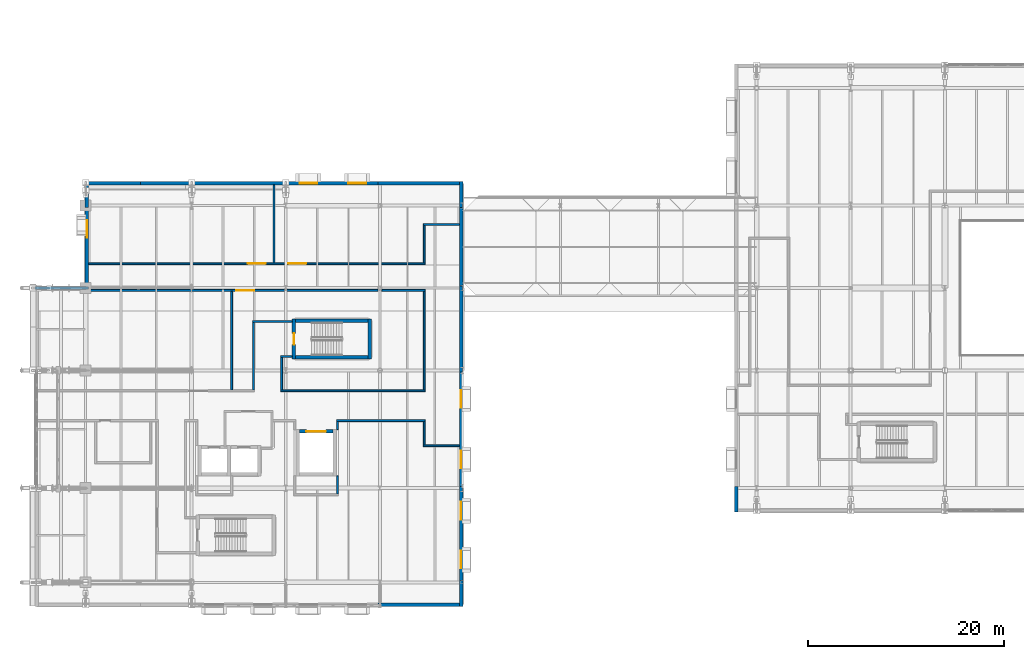
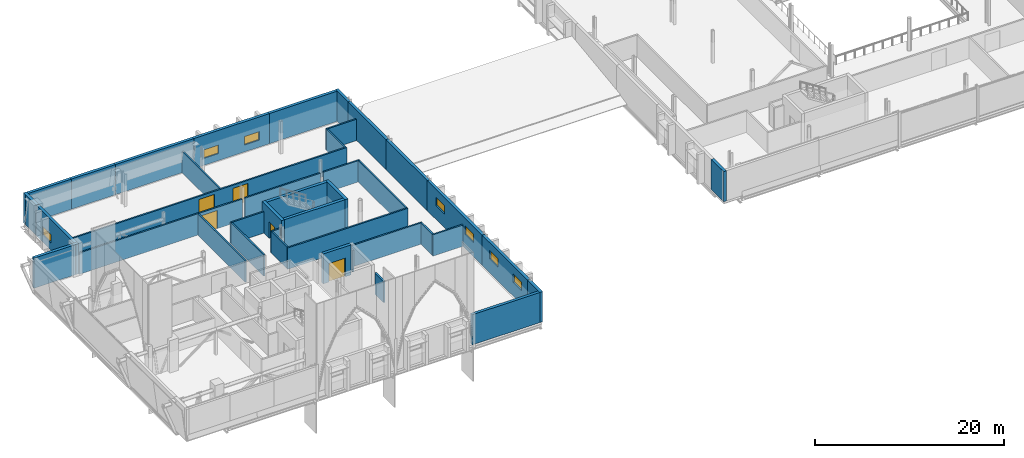
# One storey, part 62 of 90: 40 walls, 7 windows, 5 doors, 12 openings.
"""IFC4 building model written with IfcOpenShell, lengths in metres."""

from ifc_helpers import new_model, si_unit, direction, frame, frame_2d, origin, place, context, subcontext, project, spatial, rectangle, extrude, material, layer, layer_set, type_object, element, fill, save


model = new_model("IFC4")

# Units and contexts
model_context = context("Model", 3, precision=1e-05, world=origin(), true_north=direction((0.0, 1.0)))
body_context = subcontext(model_context, "Body", "Model", "MODEL_VIEW")
ifc_project = project(units=[si_unit("LENGTHUNIT", "METRE"), si_unit("AREAUNIT", "SQUARE_METRE"), si_unit("VOLUMEUNIT", "CUBIC_METRE"), si_unit("PLANEANGLEUNIT", "RADIAN"), si_unit("MASSUNIT", "GRAM", prefix="KILO")], contexts=[model_context])

# Site, building, storey
site_placement = place(None, origin())
site = spatial("IfcSite", under=ifc_project, at=site_placement, CompositionType="ELEMENT")
building_placement = place(site_placement, origin())
building = spatial("IfcBuilding", under=site, at=building_placement, Name="Zereglee Splitstone Museum", CompositionType="ELEMENT")
storey_placement = place(building_placement, frame((0.0, 0.0, 4.800048828125)))
storey = spatial("IfcBuildingStorey", under=building, at=storey_placement, Name="L01", CompositionType="ELEMENT", Elevation=4.800048828125)

# Wall, opening, door
ifc_material_1 = material(Name="Concrete C45/55", Category="concrete")
ifc_layer_1 = layer(ifc_material_1, 0.360107421875)
ifc_layer_set_1 = layer_set([ifc_layer_1], Name="Concrete C45/55")
wall_type_1 = type_object("IfcWallType", Name="CSW-02", PredefinedType="SHEAR", material=ifc_layer_set_1)
wall_1_placement = place(storey_placement, frame((30.820068359375, 22.739990234375, 0.0), z_axis=(0.0, 0.0, 1.0), x_axis=(0.0, 1.0, 0.0)))
wall_1 = element("IfcWall", 1, at=wall_1_placement, inside=storey, type_object=wall_type_1, Name="Stair Core Shear Wall ST-02 L01 West", PredefinedType="SHEAR", context=body_context, shape_type="SweptSolid", body=[
    extrude(rectangle(XDim=4.1201171875, YDim=0.360107421875, at=frame_2d((2.06005859375, 0.0))), origin(), (0.0, 0.0, 1.0), 3.8798828125),
])
opening_1_placement = place(wall_1_placement, frame((1.485107421875, 0.0, 0.0)))
opening_1 = element("IfcOpeningElement", 2, at=opening_1_placement, cuts=wall_1, Name="Opening ID-03", PredefinedType="OPENING", context=body_context, shape_type="SweptSolid", body=[
    extrude(rectangle(XDim=1.14990234375, YDim=2.14990234375, at=frame_2d((0.574951171875, 1.074951171875))), frame((0.0, 0.19482421875, 0.0), z_axis=(0.0, -1.0, 0.0), x_axis=(1.0, 0.0, 0.0)), (0.0, 0.0, 1.0), 0.389892578125),
])
ifc_material_2 = material(Name="Fire-rated steel and Siberian larch leaf", Category="steel")
door_type_1 = type_object("IfcDoorType", Name="ID-03", OperationType="NOTDEFINED", PredefinedType="DOOR", material=ifc_material_2)
door_1_placement = place(opening_1_placement, origin())
door_1 = element("IfcDoor", 3, at=door_1_placement, inside=storey, type_object=door_type_1, Name="Protected Stair Fire Door ST-02 L01", OperationType="SINGLE_SWING_LEFT", OverallHeight=2.14990234375, OverallWidth=1.14990234375, PredefinedType="DOOR", context=body_context, shape_type="SweptSolid", body=[
    extrude(rectangle(XDim=1.14990234375, YDim=2.14990234375, at=frame_2d((0.574951171875, 1.074951171875))), frame((0.0, 0.02490234375, 0.0), z_axis=(0.0, -1.0, 0.0), x_axis=(1.0, 0.0, 0.0)), (0.0, 0.0, 1.0), 0.050048828125),
])
fill(opening_1, door_1)

# Walls
wall_2_placement = place(storey_placement, frame((38.580078125, 22.739990234375, 0.0), z_axis=(0.0, 0.0, 1.0), x_axis=(0.0, 1.0, 0.0)))
element("IfcWall", 4, at=wall_2_placement, inside=storey, type_object=wall_type_1, Name="Stair Core Shear Wall ST-02 L01 East", PredefinedType="SHEAR", context=body_context, shape_type="SweptSolid", body=[
    extrude(rectangle(XDim=4.1201171875, YDim=0.360107421875, at=frame_2d((2.06005859375, 0.0))), origin(), (0.0, 0.0, 1.0), 3.8798828125),
])
for number, where, z_axis, x_axis, name in (
    (5, (31.0, 26.679931640625, 0.0), (0.0, 0.0, 1.0), (1.0, 0.0, 0.0), "Stair Core Shear Wall ST-02 L01 North"),
    (6, (31.0, 22.919921875, 0.0), (0.0, 0.0, 1.0), (1.0, 0.0, 0.0), "Stair Core Shear Wall ST-02 L01 South"),
):
    element("IfcWall", number, at=place(storey_placement, frame(where, z_axis=z_axis, x_axis=x_axis)), inside=storey, type_object=wall_type_1, Name=name, PredefinedType="SHEAR", context=body_context, shape_type="SweptSolid", body=[
        extrude(rectangle(XDim=7.39990234375, YDim=0.360107421875, at=frame_2d((3.699951171875, 0.0))), origin(), (0.0, 0.0, 1.0), 3.8798828125),
    ])

# Wall, opening, door
wall_3_placement = place(storey_placement, frame((31.39990234375, 15.3798828125, 0.0), z_axis=(0.0, 0.0, 1.0), x_axis=(1.0, 0.0, 0.0)))
wall_3 = element("IfcWall", 7, at=wall_3_placement, inside=storey, type_object=wall_type_1, Name="Lift Shaft Wall GL-02 L01 North", PredefinedType="SHEAR", context=body_context, shape_type="SweptSolid", body=[
    extrude(rectangle(XDim=3.400146484375, YDim=0.360107421875, at=frame_2d((1.7001953125, 0.0))), origin(), (0.0, 0.0, 1.0), 3.8798828125),
])
opening_2_placement = place(wall_3_placement, frame((0.699951171875, 0.0, 0.0)))
opening_2 = element("IfcOpeningElement", 8, at=opening_2_placement, cuts=wall_3, Name="Opening LD-03", PredefinedType="OPENING", context=body_context, shape_type="SweptSolid", body=[
    extrude(rectangle(XDim=2.0, YDim=2.39990234375, at=frame_2d((1.0, 1.199951171875))), frame((0.0, 0.19482421875, 0.0), z_axis=(0.0, -1.0, 0.0), x_axis=(1.0, 0.0, 0.0)), (0.0, 0.0, 1.0), 0.389892578125),
])
door_type_2 = type_object("IfcDoorType", Name="LD-03", OperationType="DOUBLE_DOOR_SLIDING", PredefinedType="DOOR", material=ifc_material_2)
door_2_placement = place(opening_2_placement, origin())
door_2 = element("IfcDoor", 9, at=door_2_placement, inside=storey, type_object=door_type_2, Name="Lift Landing Sliding Door GL-02 L01", OperationType="DOUBLE_DOOR_SLIDING", OverallHeight=2.39990234375, OverallWidth=2.0, PredefinedType="DOOR", context=body_context, shape_type="SweptSolid", body=[
    extrude(rectangle(XDim=2.0, YDim=2.39990234375, at=frame_2d((1.0, 1.199951171875))), frame((0.0, 0.02490234375, 0.0), z_axis=(0.0, -1.0, 0.0), x_axis=(1.0, 0.0, 0.0)), (0.0, 0.0, 1.0), 0.050048828125),
])
fill(opening_2, door_2)

# Walls
ifc_material_3 = material(Name="Precast concrete C40/50", Category="concrete")
ifc_layer_2 = layer(ifc_material_3, 0.35009765625)
ifc_layer_set_2 = layer_set([ifc_layer_2], Name="Precast concrete C40/50")
wall_type_2 = type_object("IfcWallType", Name="EW-01", PredefinedType="STANDARD", material=ifc_layer_set_2)
wall_4_placement = place(storey_placement, frame((9.89990234375, 30.0, 0.0), z_axis=(0.0, 0.0, 1.0), x_axis=(-1.0, 0.0, 0.0)))
element("IfcWall", 10, at=wall_4_placement, inside=storey, type_object=wall_type_2, Name="Exterior Backup Wall RC4-EW-L01-0043", PredefinedType="STANDARD", context=body_context, shape_type="SweptSolid", body=[
    extrude(rectangle(XDim=5.4599609375, YDim=0.35009765625, at=frame_2d((2.72998046875, 0.0))), origin(), (0.0, 0.0, 1.0), 3.89990234375),
])
wall_5_placement = place(storey_placement, frame((39.419921875, -2.280029296875, 0.0), z_axis=(0.0, 0.0, 1.0), x_axis=(1.0, 0.0, 0.0)))
element("IfcWall", 11, at=wall_5_placement, inside=storey, type_object=wall_type_2, Name="Exterior Backup Wall RC4-EW-L01-0052", PredefinedType="STANDARD", context=body_context, shape_type="SweptSolid", body=[
    extrude(rectangle(XDim=8.64013671875, YDim=0.35009765625, at=frame_2d((4.320068359375, 0.0))), origin(), (0.0, 0.0, 1.0), 3.89990234375),
])
wall_6_placement = place(storey_placement, frame((47.8798828125, -2.4599609375, 0.0), z_axis=(0.0, 0.0, 1.0), x_axis=(0.0, 1.0, 0.0)))
element("IfcWall", 12, at=wall_6_placement, inside=storey, type_object=wall_type_2, Name="Exterior Backup Wall RC4-EW-L01-0053", PredefinedType="STANDARD", context=body_context, shape_type="SweptSolid", body=[
    extrude(rectangle(XDim=2.639892578125, YDim=0.35009765625, at=frame_2d((1.31982421875, 0.0))), origin(), (0.0, 0.0, 1.0), 3.89990234375),
])

# Wall, openings, windows
wall_7_placement = place(storey_placement, frame((47.8798828125, -0.179931640625, 0.0), z_axis=(0.0, 0.0, 1.0), x_axis=(0.0, 1.0, 0.0)))
wall_7 = element("IfcWall", 13, at=wall_7_placement, inside=storey, type_object=wall_type_2, Name="Exterior Backup Wall RC4-EW-L01-0054", PredefinedType="STANDARD", context=body_context, shape_type="SweptSolid", body=[
    extrude(rectangle(XDim=9.9599609375, YDim=0.35009765625, at=frame_2d((4.97998046875, 0.0))), origin(), (0.0, 0.0, 1.0), 3.89990234375),
])
opening_3_placement = place(wall_7_placement, frame((1.590087890625, 0.0, 1.800048828125)))
opening_3 = element("IfcOpeningElement", 14, at=opening_3_placement, cuts=wall_7, Name="Opening EW-W12", PredefinedType="OPENING", context=body_context, shape_type="SweptSolid", body=[
    extrude(rectangle(XDim=1.800048828125, YDim=1.10009765625, at=frame_2d((0.89990234375, 0.550048828125))), frame((0.0, 0.18994140625, 0.0), z_axis=(0.0, -1.0, 0.0), x_axis=(1.0, 0.0, 0.0)), (0.0, 0.0, 1.0), 0.3798828125),
])
opening_4_placement = place(wall_7_placement, frame((6.570068359375, 0.0, 1.800048828125)))
opening_4 = element("IfcOpeningElement", 15, at=opening_4_placement, cuts=wall_7, Name="Opening EW-W12", PredefinedType="OPENING", context=body_context, shape_type="SweptSolid", body=[
    extrude(rectangle(XDim=1.800048828125, YDim=1.10009765625, at=frame_2d((0.89990234375, 0.550048828125))), frame((0.0, 0.18994140625, 0.0), z_axis=(0.0, -1.0, 0.0), x_axis=(1.0, 0.0, 0.0)), (0.0, 0.0, 1.0), 0.3798828125),
])
ifc_material_4 = material(Name="Thermally broken aluminium frame with triple low-e glazing", Category="aluminium")
window_type = type_object("IfcWindowType", Name="EW-W12", PartitioningType="DOUBLE_PANEL_HORIZONTAL", PredefinedType="WINDOW", material=ifc_material_4)
window_1_placement = place(opening_3_placement, origin())
window_1 = element("IfcWindow", 16, at=window_1_placement, inside=storey, type_object=window_type, Name="Mughal Deep-Reveal Gallery Window L01-0025", OverallHeight=1.10009765625, OverallWidth=1.800048828125, PartitioningType="SINGLE_PANEL", PredefinedType="WINDOW", context=body_context, shape_type="SweptSolid", body=[
    extrude(rectangle(XDim=1.800048828125, YDim=1.10009765625, at=frame_2d((0.89990234375, 0.550048828125))), frame((0.0, 0.030029296875, 0.0), z_axis=(0.0, -1.0, 0.0), x_axis=(1.0, 0.0, 0.0)), (0.0, 0.0, 1.0), 0.06005859375),
])
fill(opening_3, window_1)
window_2_placement = place(opening_4_placement, origin())
window_2 = element("IfcWindow", 17, at=window_2_placement, inside=storey, type_object=window_type, Name="Mughal Deep-Reveal Gallery Window L01-0026", OverallHeight=1.10009765625, OverallWidth=1.800048828125, PartitioningType="SINGLE_PANEL", PredefinedType="WINDOW", context=body_context, shape_type="SweptSolid", body=[
    extrude(rectangle(XDim=1.800048828125, YDim=1.10009765625, at=frame_2d((0.89990234375, 0.550048828125))), frame((0.0, 0.030029296875, 0.0), z_axis=(0.0, -1.0, 0.0), x_axis=(1.0, 0.0, 0.0)), (0.0, 0.0, 1.0), 0.06005859375),
])
fill(opening_4, window_2)

wall_8_placement = place(storey_placement, frame((47.8798828125, 9.419921875, 0.0), z_axis=(0.0, 0.0, 1.0), x_axis=(0.0, 1.0, 0.0)))
wall_8 = element("IfcWall", 18, at=wall_8_placement, inside=storey, type_object=wall_type_2, Name="Exterior Backup Wall RC4-EW-L01-0055", PredefinedType="STANDARD", context=body_context, shape_type="SweptSolid", body=[
    extrude(rectangle(XDim=12.360107421875, YDim=0.35009765625, at=frame_2d((6.18017578125, 0.0))), origin(), (0.0, 0.0, 1.0), 3.89990234375),
])
opening_5_placement = place(wall_8_placement, frame((2.18994140625, 0.0, 1.800048828125)))
opening_5 = element("IfcOpeningElement", 19, at=opening_5_placement, cuts=wall_8, Name="Opening EW-W12", PredefinedType="OPENING", context=body_context, shape_type="SweptSolid", body=[
    extrude(rectangle(XDim=1.800048828125, YDim=1.10009765625, at=frame_2d((0.89990234375, 0.550048828125))), frame((0.0, 0.18994140625, 0.0), z_axis=(0.0, -1.0, 0.0), x_axis=(1.0, 0.0, 0.0)), (0.0, 0.0, 1.0), 0.3798828125),
])
opening_6_placement = place(wall_8_placement, frame((8.3701171875, 0.0, 1.800048828125)))
opening_6 = element("IfcOpeningElement", 20, at=opening_6_placement, cuts=wall_8, Name="Opening EW-W12", PredefinedType="OPENING", context=body_context, shape_type="SweptSolid", body=[
    extrude(rectangle(XDim=1.800048828125, YDim=1.10009765625, at=frame_2d((0.89990234375, 0.550048828125))), frame((0.0, 0.18994140625, 0.0), z_axis=(0.0, -1.0, 0.0), x_axis=(1.0, 0.0, 0.0)), (0.0, 0.0, 1.0), 0.3798828125),
])
window_3_placement = place(opening_5_placement, origin())
window_3 = element("IfcWindow", 21, at=window_3_placement, inside=storey, type_object=window_type, Name="Mughal Deep-Reveal Gallery Window L01-0027", OverallHeight=1.10009765625, OverallWidth=1.800048828125, PartitioningType="SINGLE_PANEL", PredefinedType="WINDOW", context=body_context, shape_type="SweptSolid", body=[
    extrude(rectangle(XDim=1.800048828125, YDim=1.10009765625, at=frame_2d((0.89990234375, 0.550048828125))), frame((0.0, 0.030029296875, 0.0), z_axis=(0.0, -1.0, 0.0), x_axis=(1.0, 0.0, 0.0)), (0.0, 0.0, 1.0), 0.06005859375),
])
fill(opening_5, window_3)
window_4_placement = place(opening_6_placement, origin())
window_4 = element("IfcWindow", 22, at=window_4_placement, inside=storey, type_object=window_type, Name="Mughal Deep-Reveal Gallery Window L01-0028", OverallHeight=1.10009765625, OverallWidth=1.800048828125, PartitioningType="SINGLE_PANEL", PredefinedType="WINDOW", context=body_context, shape_type="SweptSolid", body=[
    extrude(rectangle(XDim=1.800048828125, YDim=1.10009765625, at=frame_2d((0.89990234375, 0.550048828125))), frame((0.0, 0.030029296875, 0.0), z_axis=(0.0, -1.0, 0.0), x_axis=(1.0, 0.0, 0.0)), (0.0, 0.0, 1.0), 0.06005859375),
])
fill(opening_6, window_4)

# Walls
for number, where, z_axis, x_axis, name in (
    (23, (47.8798828125, 21.419921875, 0.0), (0.0, 0.0, 1.0), (0.0, 1.0, 0.0), "Exterior Backup Wall RC4-EW-L01-0056"),
    (24, (47.8798828125, 29.820068359375, 0.0), (0.0, 0.0, 1.0), (0.0, 1.0, 0.0), "Exterior Backup Wall RC4-EW-L01-0057"),
):
    element("IfcWall", number, at=place(storey_placement, frame(where, z_axis=z_axis, x_axis=x_axis)), inside=storey, type_object=wall_type_2, Name=name, PredefinedType="STANDARD", context=body_context, shape_type="SweptSolid", body=[
        extrude(rectangle(XDim=8.760009765625, YDim=0.35009765625, at=frame_2d((4.3798828125, 0.0))), origin(), (0.0, 0.0, 1.0), 3.89990234375),
    ])
wall_9_placement = place(storey_placement, frame((47.8798828125, 38.219970703125, 0.0), z_axis=(0.0, 0.0, 1.0), x_axis=(0.0, 1.0, 0.0)))
element("IfcWall", 25, at=wall_9_placement, inside=storey, type_object=wall_type_2, Name="Exterior Backup Wall RC4-EW-L01-0058", PredefinedType="STANDARD", context=body_context, shape_type="SweptSolid", body=[
    extrude(rectangle(XDim=2.64013671875, YDim=0.35009765625, at=frame_2d((1.320068359375, 0.0))), origin(), (0.0, 0.0, 1.0), 3.89990234375),
])
wall_10_placement = place(storey_placement, frame((48.06005859375, 40.679931640625, 0.0), z_axis=(0.0, 0.0, 1.0), x_axis=(-1.0, 0.0, 0.0)))
element("IfcWall", 26, at=wall_10_placement, inside=storey, type_object=wall_type_2, Name="Exterior Backup Wall RC4-EW-L01-0059", PredefinedType="STANDARD", context=body_context, shape_type="SweptSolid", body=[
    extrude(rectangle(XDim=8.64013671875, YDim=0.35009765625, at=frame_2d((4.320068359375, 0.0))), origin(), (0.0, 0.0, 1.0), 3.89990234375),
])

# Wall, openings, windows
wall_11_placement = place(storey_placement, frame((39.780029296875, 40.679931640625, 0.0), z_axis=(0.0, 0.0, 1.0), x_axis=(-1.0, 0.0, 0.0)))
wall_11 = element("IfcWall", 27, at=wall_11_placement, inside=storey, type_object=wall_type_2, Name="Exterior Backup Wall RC4-EW-L01-0060", PredefinedType="STANDARD", context=body_context, shape_type="SweptSolid", body=[
    extrude(rectangle(XDim=9.9599609375, YDim=0.35009765625, at=frame_2d((4.97998046875, 0.0))), origin(), (0.0, 0.0, 1.0), 3.89990234375),
])
opening_7_placement = place(wall_11_placement, frame((1.590087890625, 0.0, 0.89990234375)))
opening_7 = element("IfcOpeningElement", 28, at=opening_7_placement, cuts=wall_11, Name="Opening EW-W12", PredefinedType="OPENING", context=body_context, shape_type="SweptSolid", body=[
    extrude(rectangle(XDim=1.800048828125, YDim=1.10009765625, at=frame_2d((0.89990234375, 0.550048828125))), frame((0.0, 0.18994140625, 0.0), z_axis=(0.0, -1.0, 0.0), x_axis=(1.0, 0.0, 0.0)), (0.0, 0.0, 1.0), 0.3798828125),
])
opening_8_placement = place(wall_11_placement, frame((6.570068359375, 0.0, 0.89990234375)))
opening_8 = element("IfcOpeningElement", 29, at=opening_8_placement, cuts=wall_11, Name="Opening EW-W12", PredefinedType="OPENING", context=body_context, shape_type="SweptSolid", body=[
    extrude(rectangle(XDim=1.800048828125, YDim=1.10009765625, at=frame_2d((0.89990234375, 0.550048828125))), frame((0.0, 0.18994140625, 0.0), z_axis=(0.0, -1.0, 0.0), x_axis=(1.0, 0.0, 0.0)), (0.0, 0.0, 1.0), 0.3798828125),
])
window_5_placement = place(opening_7_placement, origin())
window_5 = element("IfcWindow", 30, at=window_5_placement, inside=storey, type_object=window_type, Name="Mughal Deep-Reveal Gallery Window L01-0029", OverallHeight=1.10009765625, OverallWidth=1.800048828125, PartitioningType="SINGLE_PANEL", PredefinedType="WINDOW", context=body_context, shape_type="SweptSolid", body=[
    extrude(rectangle(XDim=1.800048828125, YDim=1.10009765625, at=frame_2d((0.89990234375, 0.550048828125))), frame((0.0, 0.030029296875, 0.0), z_axis=(0.0, -1.0, 0.0), x_axis=(1.0, 0.0, 0.0)), (0.0, 0.0, 1.0), 0.06005859375),
])
fill(opening_7, window_5)
window_6_placement = place(opening_8_placement, origin())
window_6 = element("IfcWindow", 31, at=window_6_placement, inside=storey, type_object=window_type, Name="Mughal Deep-Reveal Gallery Window L01-0030", OverallHeight=1.10009765625, OverallWidth=1.800048828125, PartitioningType="SINGLE_PANEL", PredefinedType="WINDOW", context=body_context, shape_type="SweptSolid", body=[
    extrude(rectangle(XDim=1.800048828125, YDim=1.10009765625, at=frame_2d((0.89990234375, 0.550048828125))), frame((0.0, 0.030029296875, 0.0), z_axis=(0.0, -1.0, 0.0), x_axis=(1.0, 0.0, 0.0)), (0.0, 0.0, 1.0), 0.06005859375),
])
fill(opening_8, window_6)

# Walls
wall_12_placement = place(storey_placement, frame((30.179931640625, 40.679931640625, 0.0), z_axis=(0.0, 0.0, 1.0), x_axis=(-1.0, 0.0, 0.0)))
element("IfcWall", 32, at=wall_12_placement, inside=storey, type_object=wall_type_2, Name="Exterior Backup Wall RC4-EW-L01-0061", PredefinedType="STANDARD", context=body_context, shape_type="SweptSolid", body=[
    extrude(rectangle(XDim=9.9599609375, YDim=0.35009765625, at=frame_2d((4.97998046875, 0.0))), origin(), (0.0, 0.0, 1.0), 3.89990234375),
])
wall_13_placement = place(storey_placement, frame((20.580078125, 40.679931640625, 0.0), z_axis=(0.0, 0.0, 1.0), x_axis=(-1.0, 0.0, 0.0)))
element("IfcWall", 33, at=wall_13_placement, inside=storey, type_object=wall_type_2, Name="Exterior Backup Wall RC4-EW-L01-0062", PredefinedType="STANDARD", context=body_context, shape_type="SweptSolid", body=[
    extrude(rectangle(XDim=5.760009765625, YDim=0.35009765625, at=frame_2d((2.8798828125, 0.0))), origin(), (0.0, 0.0, 1.0), 3.89990234375),
])
wall_14_placement = place(storey_placement, frame((15.179931640625, 40.679931640625, 0.0), z_axis=(0.0, 0.0, 1.0), x_axis=(-1.0, 0.0, 0.0)))
element("IfcWall", 34, at=wall_14_placement, inside=storey, type_object=wall_type_2, Name="Exterior Backup Wall RC4-EW-L01-0063", PredefinedType="STANDARD", context=body_context, shape_type="SweptSolid", body=[
    extrude(rectangle(XDim=5.639892578125, YDim=0.35009765625, at=frame_2d((2.81982421875, 0.0))), origin(), (0.0, 0.0, 1.0), 3.89990234375),
])
wall_15_placement = place(storey_placement, frame((9.719970703125, 40.860107421875, 0.0), z_axis=(0.0, 0.0, 1.0), x_axis=(0.0, -1.0, 0.0)))
element("IfcWall", 35, at=wall_15_placement, inside=storey, type_object=wall_type_2, Name="Exterior Backup Wall RC4-EW-L01-0064", PredefinedType="STANDARD", context=body_context, shape_type="SweptSolid", body=[
    extrude(rectangle(XDim=2.64013671875, YDim=0.35009765625, at=frame_2d((1.320068359375, 0.0))), origin(), (0.0, 0.0, 1.0), 3.89990234375),
])

# Wall, opening, window
wall_16_placement = place(storey_placement, frame((9.719970703125, 38.580078125, 0.0), z_axis=(0.0, 0.0, 1.0), x_axis=(0.0, -1.0, 0.0)))
wall_16 = element("IfcWall", 36, at=wall_16_placement, inside=storey, type_object=wall_type_2, Name="Exterior Backup Wall RC4-EW-L01-0065", PredefinedType="STANDARD", context=body_context, shape_type="SweptSolid", body=[
    extrude(rectangle(XDim=8.760009765625, YDim=0.35009765625, at=frame_2d((4.3798828125, 0.0))), origin(), (0.0, 0.0, 1.0), 3.89990234375),
])
opening_9_placement = place(wall_16_placement, frame((1.6650390625, 0.0, 0.89990234375)))
opening_9 = element("IfcOpeningElement", 37, at=opening_9_placement, cuts=wall_16, Name="Opening EW-W12", PredefinedType="OPENING", context=body_context, shape_type="SweptSolid", body=[
    extrude(rectangle(XDim=1.800048828125, YDim=1.10009765625, at=frame_2d((0.89990234375, 0.550048828125))), frame((0.0, 0.18994140625, 0.0), z_axis=(0.0, -1.0, 0.0), x_axis=(1.0, 0.0, 0.0)), (0.0, 0.0, 1.0), 0.3798828125),
])
window_7_placement = place(opening_9_placement, origin())
window_7 = element("IfcWindow", 38, at=window_7_placement, inside=storey, type_object=window_type, Name="Mughal Deep-Reveal Gallery Window L01-0031", OverallHeight=1.10009765625, OverallWidth=1.800048828125, PartitioningType="SINGLE_PANEL", PredefinedType="WINDOW", context=body_context, shape_type="SweptSolid", body=[
    extrude(rectangle(XDim=1.800048828125, YDim=1.10009765625, at=frame_2d((0.89990234375, 0.550048828125))), frame((0.0, 0.030029296875, 0.0), z_axis=(0.0, -1.0, 0.0), x_axis=(1.0, 0.0, 0.0)), (0.0, 0.0, 1.0), 0.06005859375),
])
fill(opening_9, window_7)

# Walls
wall_17_placement = place(storey_placement, frame((75.919921875, 9.780029296875, 0.0), z_axis=(0.0, 0.0, 1.0), x_axis=(0.0, -1.0, 0.0)))
element("IfcWall", 39, at=wall_17_placement, inside=storey, type_object=wall_type_2, Name="Exterior Backup Wall RC4-EW-L01-0075", PredefinedType="STANDARD", context=body_context, shape_type="SweptSolid", body=[
    extrude(rectangle(XDim=2.64013671875, YDim=0.35009765625, at=frame_2d((1.320068359375, 0.0))), origin(), (0.0, 0.0, 1.0), 3.89990234375),
])
ifc_material_5 = material(Name="Gypsum board on acoustic steel stud", Category="steel")
ifc_layer_3 = layer(ifc_material_5, 0.18994140625)
ifc_layer_set_3 = layer_set([ifc_layer_3], Name="Gypsum board on acoustic steel stud")
wall_type_3 = type_object("IfcWallType", Name="IW-02", PredefinedType="PARTITIONING", material=ifc_layer_set_3)
wall_18_placement = place(storey_placement, frame((44.02490234375, 13.919921875, 0.0), z_axis=(0.0, 0.0, 1.0), x_axis=(1.0, 0.0, 0.0)))
element("IfcWall", 40, at=wall_18_placement, inside=storey, type_object=wall_type_3, Name="Interior Partition L01-0340 (Paleontology Exhibition Hall)", PredefinedType="PARTITIONING", context=body_context, shape_type="SweptSolid", body=[
    extrude(rectangle(XDim=3.68017578125, YDim=0.18994140625, at=frame_2d((1.840087890625, 0.0))), origin(), (0.0, 0.0, 1.0), 2.760009765625),
])
wall_19_placement = place(storey_placement, frame((35.18505859375, 16.47998046875, 0.0), z_axis=(0.0, 0.0, 1.0), x_axis=(1.0, 0.0, 0.0)))
element("IfcWall", 41, at=wall_19_placement, inside=storey, type_object=wall_type_3, Name="Interior Partition L01-0345 (Paleontology Exhibition Hall)", PredefinedType="PARTITIONING", context=body_context, shape_type="SweptSolid", body=[
    extrude(rectangle(XDim=9.030029296875, YDim=0.18994140625, at=frame_2d((4.51513671875, 0.0))), origin(), (0.0, 0.0, 1.0), 2.760009765625),
])
wall_20_placement = place(storey_placement, frame((29.485107421875, 19.52001953125, 0.0), z_axis=(0.0, 0.0, 1.0), x_axis=(1.0, 0.0, 0.0)))
element("IfcWall", 42, at=wall_20_placement, inside=storey, type_object=wall_type_3, Name="Interior Partition L01-0351 (Mesozoic Vertebrate Gallery)", PredefinedType="PARTITIONING", context=body_context, shape_type="SweptSolid", body=[
    extrude(rectangle(XDim=14.72998046875, YDim=0.18994140625, at=frame_2d((7.364990234375, 0.0))), origin(), (0.0, 0.0, 1.0), 2.760009765625),
])
wall_21_placement = place(storey_placement, frame((29.485107421875, 23.02001953125, 0.0), z_axis=(0.0, 0.0, 1.0), x_axis=(1.0, 0.0, 0.0)))
element("IfcWall", 43, at=wall_21_placement, inside=storey, type_object=wall_type_3, Name="Interior Partition L01-0361 (Mesozoic Vertebrate Gallery)", PredefinedType="PARTITIONING", context=body_context, shape_type="SweptSolid", body=[
    extrude(rectangle(XDim=1.15478515625, YDim=0.18994140625, at=frame_2d((0.577392578125, 0.0))), origin(), (0.0, 0.0, 1.0), 2.760009765625),
])
wall_22_placement = place(storey_placement, frame((26.625, 26.580078125, 0.0), z_axis=(0.0, 0.0, 1.0), x_axis=(1.0, 0.0, 0.0)))
element("IfcWall", 44, at=wall_22_placement, inside=storey, type_object=wall_type_3, Name="Interior Partition L01-0363 (Mesozoic Vertebrate Gallery)", PredefinedType="PARTITIONING", context=body_context, shape_type="SweptSolid", body=[
    extrude(rectangle(XDim=4.014892578125, YDim=0.18994140625, at=frame_2d((2.00732421875, 0.0))), origin(), (0.0, 0.0, 1.0), 2.760009765625),
])

# Wall, opening, door
wall_23_placement = place(storey_placement, frame((9.89501953125, 29.760009765625, 0.0), z_axis=(0.0, 0.0, 1.0), x_axis=(1.0, 0.0, 0.0)))
wall_23 = element("IfcWall", 45, at=wall_23_placement, inside=storey, type_object=wall_type_3, Name="Interior Partition L01-0365 (Permian Fossil Gallery)", PredefinedType="PARTITIONING", context=body_context, shape_type="SweptSolid", body=[
    extrude(rectangle(XDim=19.955078125, YDim=0.18994140625, at=frame_2d((9.9775390625, 0.0))), origin(), (0.0, 0.0, 1.0), 2.760009765625),
])
opening_10_placement = place(wall_23_placement, frame((15.0390625, 0.0, 0.0)))
opening_10 = element("IfcOpeningElement", 46, at=opening_10_placement, cuts=wall_23, Name="Opening ID-02", PredefinedType="OPENING", context=body_context, shape_type="SweptSolid", body=[
    extrude(rectangle(XDim=1.85009765625, YDim=2.35009765625, at=frame_2d((0.925048828125, 1.175048828125))), frame((0.0, 0.10986328125, 0.0), z_axis=(0.0, -1.0, 0.0), x_axis=(1.0, 0.0, 0.0)), (0.0, 0.0, 1.0), 0.2197265625),
])
door_type_3 = type_object("IfcDoorType", Name="ID-02", OperationType="NOTDEFINED", PredefinedType="DOOR", material=ifc_material_2)
door_3_placement = place(opening_10_placement, frame((1.85009765625, 0.0, 0.0), z_axis=(0.0, 0.0, 1.0), x_axis=(-1.0, 0.0, 0.0)))
door_3 = element("IfcDoor", 47, at=door_3_placement, inside=storey, type_object=door_type_3, Name="Interior Door L01-0061 (Mesozoic Vertebrate Gallery)", OperationType="DOUBLE_DOOR_SINGLE_SWING", OverallHeight=2.35009765625, OverallWidth=1.85009765625, PredefinedType="DOOR", context=body_context, shape_type="SweptSolid", body=[
    extrude(rectangle(XDim=1.85009765625, YDim=2.35009765625, at=frame_2d((0.925048828125, 1.175048828125))), frame((0.0, 0.02490234375, 0.0), z_axis=(0.0, -1.0, 0.0), x_axis=(1.0, 0.0, 0.0)), (0.0, 0.0, 1.0), 0.050048828125),
])
fill(opening_10, door_3)

# Walls
wall_24_placement = place(storey_placement, frame((30.14990234375, 29.760009765625, 0.0), z_axis=(0.0, 0.0, 1.0), x_axis=(1.0, 0.0, 0.0)))
element("IfcWall", 48, at=wall_24_placement, inside=storey, type_object=wall_type_3, Name="Interior Partition L01-0366 (Permian Fossil Gallery)", PredefinedType="PARTITIONING", context=body_context, shape_type="SweptSolid", body=[
    extrude(rectangle(XDim=9.246826171875, YDim=0.18994140625, at=frame_2d((4.62353515625, 0.0))), origin(), (0.0, 0.0, 1.0), 2.760009765625),
])
wall_25_placement = place(storey_placement, frame((39.80322265625, 29.760009765625, 0.0), z_axis=(0.0, 0.0, 1.0), x_axis=(1.0, 0.0, 0.0)))
element("IfcWall", 49, at=wall_25_placement, inside=storey, type_object=wall_type_3, Name="Interior Partition L01-0367 (Permian Fossil Gallery)", PredefinedType="PARTITIONING", context=body_context, shape_type="SweptSolid", body=[
    extrude(rectangle(XDim=4.411865234375, YDim=0.18994140625, at=frame_2d((2.2060546875, 0.0))), origin(), (0.0, 0.0, 1.0), 2.760009765625),
])

# Wall, openings, doors
wall_26_placement = place(storey_placement, frame((9.89501953125, 32.47998046875, 0.0), z_axis=(0.0, 0.0, 1.0), x_axis=(1.0, 0.0, 0.0)))
wall_26 = element("IfcWall", 50, at=wall_26_placement, inside=storey, type_object=wall_type_3, Name="Interior Partition L01-0372 (Palaeobotany Petrified Forest Gallery)", PredefinedType="PARTITIONING", context=body_context, shape_type="SweptSolid", body=[
    extrude(rectangle(XDim=34.320068359375, YDim=0.18994140625, at=frame_2d((17.16015625, 0.0))), origin(), (0.0, 0.0, 1.0), 2.760009765625),
])
opening_11_placement = place(wall_26_placement, frame((16.235107421875, 0.0, 0.0)))
opening_11 = element("IfcOpeningElement", 51, at=opening_11_placement, cuts=wall_26, Name="Opening ID-02", PredefinedType="OPENING", context=body_context, shape_type="SweptSolid", body=[
    extrude(rectangle(XDim=1.85009765625, YDim=2.35009765625, at=frame_2d((0.925048828125, 1.175048828125))), frame((0.0, 0.10986328125, 0.0), z_axis=(0.0, -1.0, 0.0), x_axis=(1.0, 0.0, 0.0)), (0.0, 0.0, 1.0), 0.2197265625),
])
opening_12_placement = place(wall_26_placement, frame((20.353515625, 0.0, 0.0)))
opening_12 = element("IfcOpeningElement", 52, at=opening_12_placement, cuts=wall_26, Name="Opening ID-02", PredefinedType="OPENING", context=body_context, shape_type="SweptSolid", body=[
    extrude(rectangle(XDim=1.85009765625, YDim=2.35009765625, at=frame_2d((0.925048828125, 1.175048828125))), frame((0.0, 0.10986328125, 0.0), z_axis=(0.0, -1.0, 0.0), x_axis=(1.0, 0.0, 0.0)), (0.0, 0.0, 1.0), 0.2197265625),
])
door_4_placement = place(opening_11_placement, origin())
door_4 = element("IfcDoor", 53, at=door_4_placement, inside=storey, type_object=door_type_3, Name="Interior Door L01-0062 (Palaeobotany Petrified Forest Gallery)", OperationType="DOUBLE_DOOR_SINGLE_SWING", OverallHeight=2.35009765625, OverallWidth=1.85009765625, PredefinedType="DOOR", context=body_context, shape_type="SweptSolid", body=[
    extrude(rectangle(XDim=1.85009765625, YDim=2.35009765625, at=frame_2d((0.925048828125, 1.175048828125))), frame((0.0, 0.02490234375, 0.0), z_axis=(0.0, -1.0, 0.0), x_axis=(1.0, 0.0, 0.0)), (0.0, 0.0, 1.0), 0.050048828125),
])
fill(opening_11, door_4)
door_5_placement = place(opening_12_placement, origin())
door_5 = element("IfcDoor", 54, at=door_5_placement, inside=storey, type_object=door_type_3, Name="Interior Door L01-0063 (Silk Road Numismatic Gallery)", OperationType="DOUBLE_DOOR_SINGLE_SWING", OverallHeight=2.35009765625, OverallWidth=1.85009765625, PredefinedType="DOOR", context=body_context, shape_type="SweptSolid", body=[
    extrude(rectangle(XDim=1.85009765625, YDim=2.35009765625, at=frame_2d((0.925048828125, 1.175048828125))), frame((0.0, 0.02490234375, 0.0), z_axis=(0.0, -1.0, 0.0), x_axis=(1.0, 0.0, 0.0)), (0.0, 0.0, 1.0), 0.050048828125),
])
fill(opening_12, door_5)

# Walls
wall_27_placement = place(storey_placement, frame((44.02490234375, 36.47998046875, 0.0), z_axis=(0.0, 0.0, 1.0), x_axis=(1.0, 0.0, 0.0)))
element("IfcWall", 55, at=wall_27_placement, inside=storey, type_object=wall_type_3, Name="Interior Partition L01-0376 (Silk Road Numismatic Gallery)", PredefinedType="PARTITIONING", context=body_context, shape_type="SweptSolid", body=[
    extrude(rectangle(XDim=3.68017578125, YDim=0.18994140625, at=frame_2d((1.840087890625, 0.0))), origin(), (0.0, 0.0, 1.0), 2.760009765625),
])
wall_28_placement = place(storey_placement, frame((24.47998046875, 19.614990234375, 0.0), z_axis=(0.0, 0.0, 1.0), x_axis=(0.0, 1.0, 0.0)))
element("IfcWall", 56, at=wall_28_placement, inside=storey, type_object=wall_type_3, Name="Interior Partition L01-0399 (Permian Fossil Gallery)", PredefinedType="PARTITIONING", context=body_context, shape_type="SweptSolid", body=[
    extrude(rectangle(XDim=10.050048828125, YDim=0.18994140625, at=frame_2d((5.02490234375, 0.0))), origin(), (0.0, 0.0, 1.0), 2.760009765625),
])
wall_29_placement = place(storey_placement, frame((26.719970703125, 19.614990234375, 0.0), z_axis=(0.0, 0.0, 1.0), x_axis=(0.0, 1.0, 0.0)))
element("IfcWall", 57, at=wall_29_placement, inside=storey, type_object=wall_type_3, Name="Interior Partition L01-0400 (Mesozoic Vertebrate Gallery)", PredefinedType="PARTITIONING", context=body_context, shape_type="SweptSolid", body=[
    extrude(rectangle(XDim=6.8701171875, YDim=0.18994140625, at=frame_2d((3.43505859375, 0.0))), origin(), (0.0, 0.0, 1.0), 2.760009765625),
])
wall_30_placement = place(storey_placement, frame((28.800048828125, 32.574951171875, 0.0), z_axis=(0.0, 0.0, 1.0), x_axis=(0.0, 1.0, 0.0)))
element("IfcWall", 58, at=wall_30_placement, inside=storey, type_object=wall_type_3, Name="Interior Partition L01-0401 (Palaeobotany Petrified Forest Gallery)", PredefinedType="PARTITIONING", context=body_context, shape_type="SweptSolid", body=[
    extrude(rectangle(XDim=7.929931640625, YDim=0.18994140625, at=frame_2d((3.96484375, 0.0))), origin(), (0.0, 0.0, 1.0), 2.760009765625),
])
wall_31_placement = place(storey_placement, frame((29.580078125, 19.614990234375, 0.0), z_axis=(0.0, 0.0, 1.0), x_axis=(0.0, 1.0, 0.0)))
element("IfcWall", 59, at=wall_31_placement, inside=storey, type_object=wall_type_3, Name="Interior Partition L01-0402 (Mesozoic Vertebrate Gallery)", PredefinedType="PARTITIONING", context=body_context, shape_type="SweptSolid", body=[
    extrude(rectangle(XDim=3.31005859375, YDim=0.18994140625, at=frame_2d((1.655029296875, 0.0))), origin(), (0.0, 0.0, 1.0), 2.760009765625),
])
wall_32_placement = place(storey_placement, frame((35.280029296875, 9.014892578125, 0.0), z_axis=(0.0, 0.0, 1.0), x_axis=(0.0, 1.0, 0.0)))
element("IfcWall", 60, at=wall_32_placement, inside=storey, type_object=wall_type_3, Name="Interior Partition L01-0405 (Paleontology Exhibition Hall)", PredefinedType="PARTITIONING", context=body_context, shape_type="SweptSolid", body=[
    extrude(rectangle(XDim=1.8251953125, YDim=0.18994140625, at=frame_2d((0.91259765625, 0.0))), origin(), (0.0, 0.0, 1.0), 2.760009765625),
])
wall_33_placement = place(storey_placement, frame((35.280029296875, 15.56005859375, 0.0), z_axis=(0.0, 0.0, 1.0), x_axis=(0.0, 1.0, 0.0)))
element("IfcWall", 61, at=wall_33_placement, inside=storey, type_object=wall_type_3, Name="Interior Partition L01-0406 (Paleontology Exhibition Hall)", PredefinedType="PARTITIONING", context=body_context, shape_type="SweptSolid", body=[
    extrude(rectangle(XDim=0.824951171875, YDim=0.18994140625, at=frame_2d((0.41259765625, 0.0))), origin(), (0.0, 0.0, 1.0), 2.760009765625),
])
wall_34_placement = place(storey_placement, frame((44.1201171875, 14.014892578125, 0.0), z_axis=(0.0, 0.0, 1.0), x_axis=(0.0, 1.0, 0.0)))
element("IfcWall", 62, at=wall_34_placement, inside=storey, type_object=wall_type_3, Name="Interior Partition L01-0407 (Paleontology Exhibition Hall)", PredefinedType="PARTITIONING", context=body_context, shape_type="SweptSolid", body=[
    extrude(rectangle(XDim=2.3701171875, YDim=0.18994140625, at=frame_2d((1.18505859375, 0.0))), origin(), (0.0, 0.0, 1.0), 2.760009765625),
])
wall_35_placement = place(storey_placement, frame((44.1201171875, 19.614990234375, 0.0), z_axis=(0.0, 0.0, 1.0), x_axis=(0.0, 1.0, 0.0)))
element("IfcWall", 63, at=wall_35_placement, inside=storey, type_object=wall_type_3, Name="Interior Partition L01-0408 (Mesozoic Vertebrate Gallery)", PredefinedType="PARTITIONING", context=body_context, shape_type="SweptSolid", body=[
    extrude(rectangle(XDim=10.050048828125, YDim=0.18994140625, at=frame_2d((5.02490234375, 0.0))), origin(), (0.0, 0.0, 1.0), 2.760009765625),
])
wall_36_placement = place(storey_placement, frame((44.1201171875, 32.574951171875, 0.0), z_axis=(0.0, 0.0, 1.0), x_axis=(0.0, 1.0, 0.0)))
element("IfcWall", 64, at=wall_36_placement, inside=storey, type_object=wall_type_3, Name="Interior Partition L01-0409 (Silk Road Numismatic Gallery)", PredefinedType="PARTITIONING", context=body_context, shape_type="SweptSolid", body=[
    extrude(rectangle(XDim=3.81005859375, YDim=0.18994140625, at=frame_2d((1.905029296875, 0.0))), origin(), (0.0, 0.0, 1.0), 2.760009765625),
])

save(model, "model.ifc")
